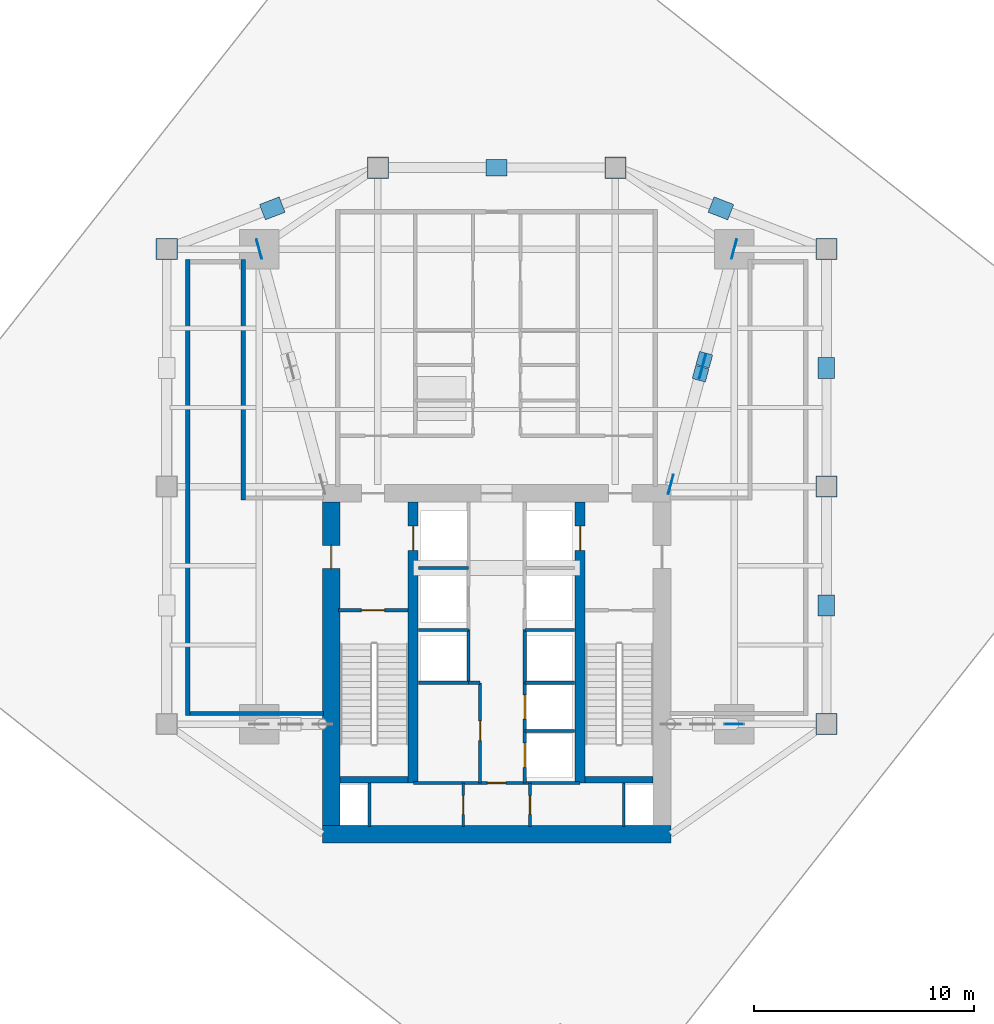
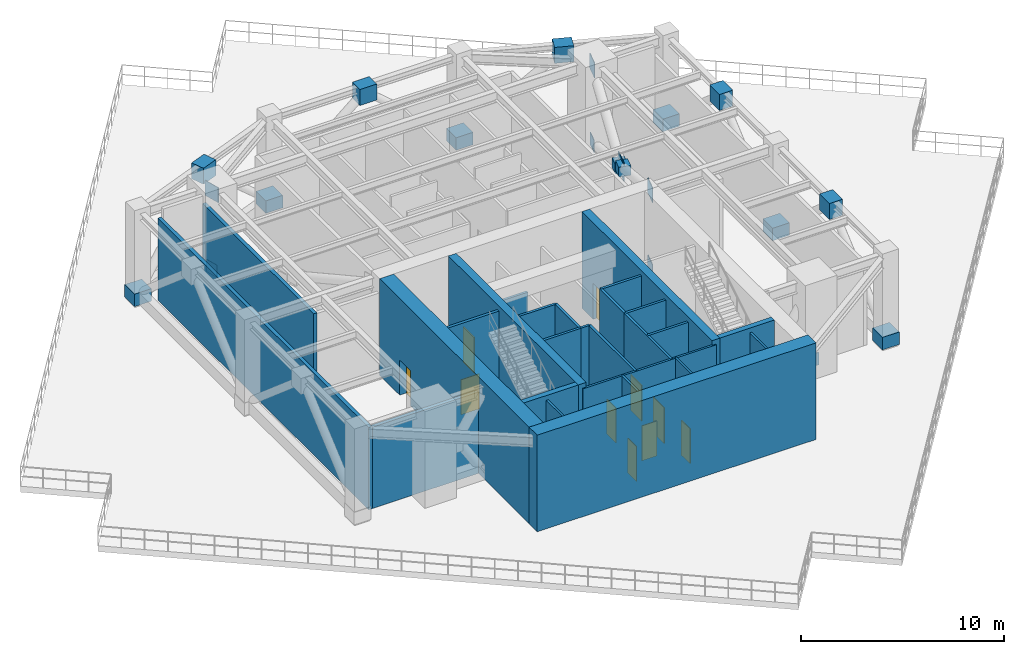
# One storey, part 4 of 8: 26 walls, 21 plates, 10 doors, 10 openings.
"""IFC4 building model written with IfcOpenShell, lengths in metres."""

from ifc_helpers import new_model, si_unit, direction, frame, frame_2d, origin, origin_2d, place, context, subcontext, project, spatial, rectangle, extrude, source, transform, mapped, material, layer, layer_set, type_object, type_shapes, element, fill, save


model = new_model("IFC4")

# Units and contexts
model_context = context("Model", 3, precision=1e-05, world=origin(), true_north=direction((0.0, 1.0)))
body_context = subcontext(model_context, "Body", "Model", "MODEL_VIEW")
ifc_project = project(units=[si_unit("LENGTHUNIT", "METRE"), si_unit("AREAUNIT", "SQUARE_METRE"), si_unit("VOLUMEUNIT", "CUBIC_METRE"), si_unit("PLANEANGLEUNIT", "RADIAN"), si_unit("MASSUNIT", "GRAM", prefix="KILO")], contexts=[model_context])

# Site, building, storey
site_placement = place(None, origin())
site = spatial("IfcSite", under=ifc_project, at=site_placement, CompositionType="ELEMENT")
building_placement = place(site_placement, origin())
building = spatial("IfcBuilding", under=site, at=building_placement, Name="Krantzveldt Concourse Tower", CompositionType="ELEMENT")
storey_placement = place(building_placement, frame((0.0, 0.0, 201.5)))
storey = spatial("IfcBuildingStorey", under=building, at=storey_placement, Name="L49", CompositionType="ELEMENT", Elevation=201.5)

# Plates
ifc_material_1 = material(Name="Steel S355J2", Category="steel")
ifc_layer_1 = layer(ifc_material_1, 0.0400390625, Name="Steel S355J2", Category="steel")
ifc_layer_set_1 = layer_set([ifc_layer_1], Name="Steel S355J2 (PL-GUSSET-40)")
plate_type_1 = type_object("IfcPlateType", Name="PL-GUSSET-40", PredefinedType="USERDEFINED", material=ifc_layer_set_1)
shared_shape_1 = source(origin(), body_context, "Body", "SweptSolid", [
    extrude(rectangle(XDim=0.89990234375, YDim=0.0400390625, at=origin_2d()), origin(), (0.0, 0.0, 1.0), 0.89990234375),
])
type_shapes(plate_type_1, [shared_shape_1])
for number, where, z_axis, x_axis, name in (
    (1, (25.199951171875, 37.5, 4.6201171875), (0.0, 0.0, 1.0), (-0.259914686406, 0.965631583882, 0.0), "OT-NW-L49-GP3"),
    (2, (43.919921875, 26.800048828125, 0.0), (0.0, 0.0, 1.0), (0.259914686406, 0.965631583882, 0.0), "OT-NE-L49-GP1"),
    (3, (43.919921875, 26.800048828125, 4.6201171875), (0.0, 0.0, 1.0), (0.259914686406, 0.965631583882, 0.0), "OT-NE-L49-GP2"),
    (4, (46.800048828125, 37.5, 4.6201171875), (0.0, 0.0, 1.0), (0.259914686406, 0.965631583882, 0.0), "OT-NE-L49-GP3"),
):
    element("IfcPlate", number, at=place(storey_placement, frame(where, z_axis=z_axis, x_axis=x_axis)), inside=storey, type_object=plate_type_1, Name=name, ObjectType="GUSSET PLATE", PredefinedType="USERDEFINED", context=body_context, shape_type="MappedRepresentation", body=[
        mapped(shared_shape_1, transform((0.0, 0.0, 0.0), x_axis=(1.0, 0.0, 0.0), y_axis=(0.0, 1.0, 0.0), z_axis=(0.0, 0.0, 1.0), scale=1.0)),
    ])
ifc_layer_2 = layer(ifc_material_1, 0.0400390625, Name="Steel S355J2", Category="steel")
ifc_layer_set_2 = layer_set([ifc_layer_2], Name="Steel S355J2 (PL-GUSSET-X40)")
plate_type_2 = type_object("IfcPlateType", Name="PL-GUSSET-X40", PredefinedType="USERDEFINED", material=ifc_layer_set_2)
shared_shape_2 = source(origin(), body_context, "Body", "SweptSolid", [
    extrude(rectangle(XDim=1.10009765625, YDim=0.0400390625, at=origin_2d()), origin(), (0.0, 0.0, 1.0), 1.10009765625),
])
type_shapes(plate_type_2, [shared_shape_2])
plate_placement = place(storey_placement, frame((45.360107421875, 32.14990234375, 2.2099609375), z_axis=(0.0, 0.0, 1.0), x_axis=(0.259914686406, 0.965631583882, 0.0)))
element("IfcPlate", 5, at=plate_placement, inside=storey, type_object=plate_type_2, Name="L49 Outrigger X-Brace Crossing Node Plate OT-NE", ObjectType="GUSSET PLATE", PredefinedType="USERDEFINED", context=body_context, shape_type="MappedRepresentation", body=[
    mapped(shared_shape_2, transform((0.0, 0.0, 0.0), x_axis=(1.0, 0.0, 0.0), y_axis=(0.0, 1.0, 0.0), z_axis=(0.0, 0.0, 1.0), scale=1.0)),
])
ifc_layer_3 = layer(ifc_material_1, 0.034912109375, Name="Steel S355J2", Category="steel")
ifc_layer_set_3 = layer_set([ifc_layer_3], Name="Steel S355J2 (PL-ENDCAP-35)")
plate_type_3 = type_object("IfcPlateType", Name="PL-ENDCAP-35", PredefinedType="SHEET", material=ifc_layer_set_3)
shared_shape_3 = source(origin(), body_context, "Body", "SweptSolid", [
    extrude(rectangle(XDim=0.6201171875, YDim=0.6201171875, at=origin_2d()), origin(), (0.0, 0.0, 1.0), 0.580078125),
])
for number, where, z_axis, x_axis, name in (
    (6, (45.274169921875, 31.831298828125, 2.607666015625), (0.0, 0.0, 1.0), (0.259914686406, 0.965631583882, 0.0), "OT-NE-L49-ECA"),
    (7, (45.44580078125, 32.46875, 2.332275390625), (0.0, 0.0, 1.0), (0.259914686406, 0.965631583882, 0.0), "OT-NE-L49-ECB"),
):
    element("IfcPlate", number, at=place(storey_placement, frame(where, z_axis=z_axis, x_axis=x_axis)), inside=storey, type_object=plate_type_3, Name=name, PredefinedType="SHEET", context=body_context, shape_type="MappedRepresentation", body=[
        mapped(shared_shape_3, transform((0.0, 0.0, 0.0), x_axis=(1.0, 0.0, 0.0), y_axis=(0.0, 1.0, 0.0), z_axis=(0.0, 0.0, 1.0), scale=1.0)),
    ])
shared_shape_4 = source(origin(), body_context, "Body", "SweptSolid", [
    extrude(rectangle(XDim=0.75, YDim=0.034912109375, at=origin_2d()), origin(), (0.0, 0.0, 1.0), 0.75),
])
type_shapes(plate_type_3, [shared_shape_3, shared_shape_4])
for number, where, z_axis, x_axis, name in (
    (8, (46.800048828125, 15.89990234375, 0.074951171875), (0.0, 0.0, 1.0), (1.0, 0.0, 0.0), "OT-SE-L49-EC"),
    (9, (25.199951171875, 37.5, 0.074951171875), (0.0, 0.0, 1.0), (-0.259914686406, 0.965631583882, 0.0), "OT-NW-L49-EC"),
    (10, (46.800048828125, 37.5, 0.074951171875), (0.0, 0.0, 1.0), (0.259914686406, 0.965631583882, 0.0), "OT-NE-L49-EC"),
):
    element("IfcPlate", number, at=place(storey_placement, frame(where, z_axis=z_axis, x_axis=x_axis)), inside=storey, type_object=plate_type_3, Name=name, PredefinedType="SHEET", context=body_context, shape_type="MappedRepresentation", body=[
        mapped(shared_shape_4, transform((0.0, 0.0, 0.0), x_axis=(1.0, 0.0, 0.0), y_axis=(0.0, 1.0, 0.0), z_axis=(0.0, 0.0, 1.0), scale=1.0)),
    ])
ifc_layer_4 = layer(ifc_material_1, 0.0419921875, Name="Steel S355J2", Category="steel")
ifc_layer_set_4 = layer_set([ifc_layer_4], Name="Steel S355J2 (PL-GUSSET-EXT40)")
plate_type_4 = type_object("IfcPlateType", Name="PL-GUSSET-EXT40", PredefinedType="USERDEFINED", material=ifc_layer_set_4)
shared_shape_5 = source(origin(), body_context, "Body", "SweptSolid", [
    extrude(rectangle(XDim=0.9599609375, YDim=0.9599609375, at=origin_2d()), origin(), (0.0, 0.0, 1.0), 0.75),
])
for number, where, z_axis, x_axis, name in (
    (11, (21.0, 37.5, 0.074951171875), (0.0, 0.0, 1.0), (1.0, 0.0, 0.0), "BT-L49-GPB-03"),
    (12, (30.60009765625, 41.199951171875, 0.074951171875), (0.0, 0.0, 1.0), (1.0, 0.0, 0.0), "BT-L49-GPB-04"),
    (13, (41.39990234375, 41.199951171875, 0.074951171875), (0.0, 0.0, 1.0), (1.0, 0.0, 0.0), "BT-L49-GPB-05"),
    (14, (51.0, 37.5, 0.074951171875), (0.0, 0.0, 1.0), (1.0, 0.0, 0.0), "BT-L49-GPB-06"),
    (15, (51.0, 26.699951171875, 0.074951171875), (0.0, 0.0, 1.0), (1.0, 0.0, 0.0), "BT-L49-GPB-07"),
    (16, (51.0, 15.89990234375, 0.074951171875), (0.0, 0.0, 1.0), (1.0, 0.0, 0.0), "BT-L49-GPB-08"),
):
    element("IfcPlate", number, at=place(storey_placement, frame(where, z_axis=z_axis, x_axis=x_axis)), inside=storey, type_object=plate_type_4, Name=name, ObjectType="GUSSET PLATE", PredefinedType="USERDEFINED", context=body_context, shape_type="MappedRepresentation", body=[
        mapped(shared_shape_5, transform((0.0, 0.0, 0.0), x_axis=(1.0, 0.0, 0.0), y_axis=(0.0, 1.0, 0.0), z_axis=(0.0, 0.0, 1.0), scale=1.0)),
    ])
shared_shape_6 = source(origin(), body_context, "Body", "SweptSolid", [
    extrude(rectangle(XDim=0.9599609375, YDim=0.75, at=origin_2d()), origin(), (0.0, 0.0, 1.0), 0.9599609375),
])
type_shapes(plate_type_4, [shared_shape_5, shared_shape_6])
for number, where, z_axis, x_axis, name in (
    (17, (25.800048828125, 39.35009765625, 4.590087890625), (0.0, 0.0, 1.0), (0.933097971633, 0.359622267573, 0.0), "BT-L49-GP-03"),
    (18, (36.0, 41.199951171875, 4.590087890625), (0.0, 0.0, 1.0), (1.0, 0.0, 0.0), "BT-L49-GP-04"),
    (19, (46.199951171875, 39.35009765625, 4.590087890625), (0.0, 0.0, 1.0), (-0.933097971633, 0.359622267573, 0.0), "BT-L49-GP-05"),
    (20, (51.0, 32.10009765625, 4.590087890625), (0.0, 0.0, 1.0), (0.0, 1.0, 0.0), "BT-L49-GP-06"),
    (21, (51.0, 21.300048828125, 4.590087890625), (0.0, 0.0, 1.0), (0.0, 1.0, 0.0), "BT-L49-GP-07"),
):
    element("IfcPlate", number, at=place(storey_placement, frame(where, z_axis=z_axis, x_axis=x_axis)), inside=storey, type_object=plate_type_4, Name=name, ObjectType="GUSSET PLATE", PredefinedType="USERDEFINED", context=body_context, shape_type="MappedRepresentation", body=[
        mapped(shared_shape_6, transform((0.0, 0.0, 0.0), x_axis=(1.0, 0.0, 0.0), y_axis=(0.0, 1.0, 0.0), z_axis=(0.0, 0.0, 1.0), scale=1.0)),
    ])

# Walls
ifc_material_2 = material(Name="Concrete C40/50", Category="concrete")
ifc_layer_5 = layer(ifc_material_2, 0.199951171875, Name="Concrete C40/50", Category="concrete")
ifc_layer_set_5 = layer_set([ifc_layer_5], Name="Concrete C40/50 (WL-EXT-POD200)")
wall_type_1 = type_object("IfcWallType", Name="WL-EXT-POD200", PredefinedType="SOLIDWALL", material=ifc_layer_set_5)
wall_1_placement = place(storey_placement, frame((22.050048828125, 16.3798828125, 0.0), z_axis=(0.0, 0.0, 1.0), x_axis=(1.0, 0.0, 0.0)))
element("IfcWall", 22, at=wall_1_placement, inside=storey, type_object=wall_type_1, Name="WP-L49-RWS", PredefinedType="SOLIDWALL", context=body_context, shape_type="SweptSolid", body=[
    extrude(rectangle(XDim=6.070068359375, YDim=0.199951171875, at=frame_2d((3.03515625, 0.0))), origin(), (0.0, 0.0, 1.0), 4.8798828125),
])
wall_2_placement = place(storey_placement, frame((21.949951171875, 16.280029296875, 0.0), z_axis=(0.0, 0.0, 1.0), x_axis=(0.0, 1.0, 0.0)))
element("IfcWall", 23, at=wall_2_placement, inside=storey, type_object=wall_type_1, Name="WP-L49-RWW", PredefinedType="SOLIDWALL", context=body_context, shape_type="SweptSolid", body=[
    extrude(rectangle(XDim=20.739990234375, YDim=0.199951171875, at=frame_2d((10.3701171875, 0.0))), origin(), (0.0, 0.0, 1.0), 4.929931640625),
])
wall_3_placement = place(storey_placement, frame((24.47998046875, 26.080078125, 0.0), z_axis=(0.0, 0.0, 1.0), x_axis=(0.0, 1.0, 0.0)))
element("IfcWall", 24, at=wall_3_placement, inside=storey, type_object=wall_type_1, Name="WP-L49-RWNE", PredefinedType="SOLIDWALL", context=body_context, shape_type="SweptSolid", body=[
    extrude(rectangle(XDim=10.93994140625, YDim=0.199951171875, at=frame_2d((5.469970703125, 0.0))), origin(), (0.0, 0.0, 1.0), 4.929931640625),
])

# Wall, opening, door
ifc_material_3 = material(Name="Fire-rated gypsum plasterboard on steel stud", Category="steel")
ifc_layer_6 = layer(ifc_material_3, 0.1201171875, Name="Fire-rated gypsum plasterboard on steel stud", Category="steel")
ifc_layer_set_6 = layer_set([ifc_layer_6], Name="Fire-rated gypsum plasterboard on steel stud (WL-PART-120)")
wall_type_2 = type_object("IfcWallType", Name="WL-PART-120", PredefinedType="PARTITIONING", material=ifc_layer_set_6)
wall_4_placement = place(storey_placement, frame((32.2099609375, 13.219970703125, 0.0), z_axis=(0.0, 0.0, 1.0), x_axis=(1.0, 0.0, 0.0)))
wall_4 = element("IfcWall", 25, at=wall_4_placement, inside=storey, type_object=wall_type_2, Name="WP-L49-CS2H", PredefinedType="PARTITIONING", context=body_context, shape_type="SweptSolid", body=[
    extrude(rectangle(XDim=7.580078125, YDim=0.1201171875, at=frame_2d((3.7900390625, 0.0))), origin(), (0.0, 0.0, 1.0), 5.52001953125),
])
opening_1_placement = place(wall_4_placement, frame((3.364990234375, 0.0, 0.0)))
opening_1 = element("IfcOpeningElement", 26, at=opening_1_placement, cuts=wall_4, Name="Opening D-IN085", PredefinedType="OPENING", context=body_context, shape_type="SweptSolid", body=[
    extrude(rectangle(XDim=0.85009765625, YDim=2.10009765625, at=frame_2d((0.425048828125, 1.050048828125))), frame((0.0, 0.070068359375, 0.0), z_axis=(0.0, -1.0, 0.0), x_axis=(1.0, 0.0, 0.0)), (0.0, 0.0, 1.0), 0.14013671875),
])
ifc_material_4 = material(Name="Hardwood timber", Category="wood")
door_type_1 = type_object("IfcDoorType", Name="DR-INT-850", OperationType="SINGLE_SWING_LEFT", PredefinedType="DOOR", material=ifc_material_4)
door_1_placement = place(opening_1_placement, origin())
door_1 = element("IfcDoor", 27, at=door_1_placement, inside=storey, type_object=door_type_1, Name="DR-L49-LLBS", OperationType="SINGLE_SWING_RIGHT", OverallHeight=2.10009765625, OverallWidth=0.85009765625, PredefinedType="DOOR", context=body_context, shape_type="SweptSolid", body=[
    extrude(rectangle(XDim=0.85009765625, YDim=2.10009765625, at=frame_2d((0.425048828125, 1.050048828125))), frame((0.0, 0.02490234375, 0.0), z_axis=(0.0, -1.0, 0.0), x_axis=(1.0, 0.0, 0.0)), (0.0, 0.0, 1.0), 0.050048828125),
])
fill(opening_1, door_1)

wall_5_placement = place(storey_placement, frame((34.47998046875, 11.25, 0.0), z_axis=(0.0, 0.0, 1.0), x_axis=(0.0, 1.0, 0.0)))
wall_5 = element("IfcWall", 28, at=wall_5_placement, inside=storey, type_object=wall_type_2, Name="WP-L49-CSB-VL", PredefinedType="PARTITIONING", context=body_context, shape_type="SweptSolid", body=[
    extrude(rectangle(XDim=1.969970703125, YDim=0.1201171875, at=frame_2d((0.98486328125, 0.0))), origin(), (0.0, 0.0, 1.0), 5.52001953125),
])
opening_2_placement = place(wall_5_placement, frame((0.544921875, 0.0, 0.0)))
opening_2 = element("IfcOpeningElement", 29, at=opening_2_placement, cuts=wall_5, Name="Opening D-IN085", PredefinedType="OPENING", context=body_context, shape_type="SweptSolid", body=[
    extrude(rectangle(XDim=0.85009765625, YDim=2.10009765625, at=frame_2d((0.425048828125, 1.050048828125))), frame((0.0, 0.070068359375, 0.0), z_axis=(0.0, -1.0, 0.0), x_axis=(1.0, 0.0, 0.0)), (0.0, 0.0, 1.0), 0.14013671875),
])
door_2_placement = place(opening_2_placement, origin())
door_2 = element("IfcDoor", 30, at=door_2_placement, inside=storey, type_object=door_type_1, Name="DR-L49-CSB1", OperationType="SINGLE_SWING_LEFT", OverallHeight=2.10009765625, OverallWidth=0.85009765625, PredefinedType="DOOR", context=body_context, shape_type="SweptSolid", body=[
    extrude(rectangle(XDim=0.85009765625, YDim=2.10009765625, at=frame_2d((0.425048828125, 1.050048828125))), frame((0.0, 0.02490234375, 0.0), z_axis=(0.0, -1.0, 0.0), x_axis=(1.0, 0.0, 0.0)), (0.0, 0.0, 1.0), 0.050048828125),
])
fill(opening_2, door_2)

wall_6_placement = place(storey_placement, frame((37.52001953125, 11.25, 0.0), z_axis=(0.0, 0.0, 1.0), x_axis=(0.0, 1.0, 0.0)))
wall_6 = element("IfcWall", 31, at=wall_6_placement, inside=storey, type_object=wall_type_2, Name="WP-L49-CSB-VR", PredefinedType="PARTITIONING", context=body_context, shape_type="SweptSolid", body=[
    extrude(rectangle(XDim=1.969970703125, YDim=0.1201171875, at=frame_2d((0.98486328125, 0.0))), origin(), (0.0, 0.0, 1.0), 5.52001953125),
])
opening_3_placement = place(wall_6_placement, frame((0.544921875, 0.0, 0.0)))
opening_3 = element("IfcOpeningElement", 32, at=opening_3_placement, cuts=wall_6, Name="Opening D-IN085", PredefinedType="OPENING", context=body_context, shape_type="SweptSolid", body=[
    extrude(rectangle(XDim=0.85009765625, YDim=2.10009765625, at=frame_2d((0.425048828125, 1.050048828125))), frame((0.0, 0.070068359375, 0.0), z_axis=(0.0, -1.0, 0.0), x_axis=(1.0, 0.0, 0.0)), (0.0, 0.0, 1.0), 0.14013671875),
])
door_3_placement = place(opening_3_placement, origin())
door_3 = element("IfcDoor", 33, at=door_3_placement, inside=storey, type_object=door_type_1, Name="DR-L49-CSB2", OperationType="SINGLE_SWING_RIGHT", OverallHeight=2.10009765625, OverallWidth=0.85009765625, PredefinedType="DOOR", context=body_context, shape_type="SweptSolid", body=[
    extrude(rectangle(XDim=0.85009765625, YDim=2.10009765625, at=frame_2d((0.425048828125, 1.050048828125))), frame((0.0, 0.02490234375, 0.0), z_axis=(0.0, -1.0, 0.0), x_axis=(1.0, 0.0, 0.0)), (0.0, 0.0, 1.0), 0.050048828125),
])
fill(opening_3, door_3)

# Walls
ifc_layer_7 = layer(ifc_material_3, 0.139892578125, Name="Fire-rated gypsum plasterboard on steel stud", Category="steel")
ifc_layer_set_7 = layer_set([ifc_layer_7], Name="Fire-rated gypsum plasterboard on steel stud (WL-PART-FR140)")
wall_type_3 = type_object("IfcWallType", Name="WL-PART-FR140", PredefinedType="PARTITIONING", material=ifc_layer_set_7)
wall_7_placement = place(storey_placement, frame((32.449951171875, 23.0, 0.0), z_axis=(0.0, 0.0, 1.0), x_axis=(1.0, 0.0, 0.0)))
element("IfcWall", 34, at=wall_7_placement, inside=storey, type_object=wall_type_3, Name="WP-L49-RISH", PredefinedType="PARTITIONING", context=body_context, shape_type="SweptSolid", body=[
    extrude(rectangle(XDim=2.27001953125, YDim=0.139892578125, at=frame_2d((1.135009765625, 0.0))), origin(), (0.0, 0.0, 1.0), 4.52001953125),
])
for number, where, z_axis, x_axis, name in (
    (35, (34.719970703125, 17.780029296875, 0.0), (0.0, 0.0, 1.0), (0.0, 1.0, 0.0), "WP-L49-SHNW2"),
    (36, (37.280029296875, 17.780029296875, 0.0), (0.0, 0.0, 1.0), (0.0, 1.0, 0.0), "WP-L49-SHNE2"),
):
    element("IfcWall", number, at=place(storey_placement, frame(where, z_axis=z_axis, x_axis=x_axis)), inside=storey, type_object=wall_type_3, Name=name, PredefinedType="PARTITIONING", context=body_context, shape_type="SweptSolid", body=[
        extrude(rectangle(XDim=2.419921875, YDim=0.139892578125, at=frame_2d((1.2099609375, 0.0))), origin(), (0.0, 0.0, 1.0), 5.52001953125),
    ])
for number, where, z_axis, x_axis, name in (
    (37, (32.449951171875, 17.780029296875, 0.0), (0.0, 0.0, 1.0), (1.0, 0.0, 0.0), "WP-L49-DIVW2"),
    (38, (32.449951171875, 20.179931640625, 0.0), (0.0, 0.0, 1.0), (1.0, 0.0, 0.0), "WP-L49-DIVW3"),
    (39, (37.280029296875, 17.780029296875, 0.0), (0.0, 0.0, 1.0), (1.0, 0.0, 0.0), "WP-L49-DIVE2"),
    (40, (37.280029296875, 20.179931640625, 0.0), (0.0, 0.0, 1.0), (1.0, 0.0, 0.0), "WP-L49-DIVE3"),
):
    element("IfcWall", number, at=place(storey_placement, frame(where, z_axis=z_axis, x_axis=x_axis)), inside=storey, type_object=wall_type_3, Name=name, PredefinedType="PARTITIONING", context=body_context, shape_type="SweptSolid", body=[
        extrude(rectangle(XDim=2.27001953125, YDim=0.139892578125, at=frame_2d((1.135009765625, 0.0))), origin(), (0.0, 0.0, 1.0), 5.52001953125),
    ])

# Wall, opening, door
wall_8_placement = place(storey_placement, frame((35.25, 13.219970703125, 0.0), z_axis=(0.0, 0.0, 1.0), x_axis=(0.0, 1.0, 0.0)))
wall_8 = element("IfcWall", 41, at=wall_8_placement, inside=storey, type_object=wall_type_3, Name="WP-L49-RECW", PredefinedType="PARTITIONING", context=body_context, shape_type="SweptSolid", body=[
    extrude(rectangle(XDim=4.56005859375, YDim=0.139892578125, at=frame_2d((2.280029296875, 0.0))), origin(), (0.0, 0.0, 1.0), 5.52001953125),
])
opening_4_placement = place(wall_8_placement, frame((1.929931640625, 0.0, 0.0)))
opening_4 = element("IfcOpeningElement", 42, at=opening_4_placement, cuts=wall_8, Name="Opening D-FD090", PredefinedType="OPENING", context=body_context, shape_type="SweptSolid", body=[
    extrude(rectangle(XDim=0.89990234375, YDim=2.10009765625, at=frame_2d((0.449951171875, 1.050048828125))), frame((0.0, 0.080078125, 0.0), z_axis=(0.0, -1.0, 0.0), x_axis=(1.0, 0.0, 0.0)), (0.0, 0.0, 1.0), 0.159912109375),
])
door_type_2 = type_object("IfcDoorType", Name="DR-FD60-900", OperationType="SINGLE_SWING_LEFT", PredefinedType="DOOR", material=ifc_material_4)
door_4_placement = place(opening_4_placement, origin())
door_4 = element("IfcDoor", 43, at=door_4_placement, inside=storey, type_object=door_type_2, Name="DR-L49-RECW", OperationType="SINGLE_SWING_LEFT", OverallHeight=2.10009765625, OverallWidth=0.89990234375, PredefinedType="DOOR", context=body_context, shape_type="SweptSolid", body=[
    extrude(rectangle(XDim=0.89990234375, YDim=2.10009765625, at=frame_2d((0.449951171875, 1.050048828125))), frame((0.0, 0.02490234375, 0.0), z_axis=(0.0, -1.0, 0.0), x_axis=(1.0, 0.0, 0.0)), (0.0, 0.0, 1.0), 0.050048828125),
])
fill(opening_4, door_4)

# Wall
wall_9_placement = place(storey_placement, frame((34.719970703125, 17.780029296875, 0.0), z_axis=(0.0, 0.0, 1.0), x_axis=(1.0, 0.0, 0.0)))
element("IfcWall", 44, at=wall_9_placement, inside=storey, type_object=wall_type_3, Name="WP-L49-RECWN", PredefinedType="PARTITIONING", context=body_context, shape_type="SweptSolid", body=[
    extrude(rectangle(XDim=0.530029296875, YDim=0.139892578125, at=frame_2d((0.26513671875, 0.0))), origin(), (0.0, 0.0, 1.0), 5.52001953125),
])

# Wall, openings, doors
wall_10_placement = place(storey_placement, frame((37.280029296875, 13.219970703125, 0.0), z_axis=(0.0, 0.0, 1.0), x_axis=(0.0, 1.0, 0.0)))
wall_10 = element("IfcWall", 45, at=wall_10_placement, inside=storey, type_object=wall_type_3, Name="WP-L49-SHSE", PredefinedType="PARTITIONING", context=body_context, shape_type="SweptSolid", body=[
    extrude(rectangle(XDim=4.56005859375, YDim=0.139892578125, at=frame_2d((2.280029296875, 0.0))), origin(), (0.0, 0.0, 1.0), 5.52001953125),
])
opening_5_placement = place(wall_10_placement, frame((0.7099609375, 0.0, 0.0)))
opening_5 = element("IfcOpeningElement", 46, at=opening_5_placement, cuts=wall_10, Name="Opening LD", PredefinedType="OPENING", context=body_context, shape_type="SweptSolid", body=[
    extrude(rectangle(XDim=1.10009765625, YDim=2.14990234375, at=frame_2d((0.550048828125, 1.074951171875))), frame((0.0, 0.080078125, 0.0), z_axis=(0.0, -1.0, 0.0), x_axis=(1.0, 0.0, 0.0)), (0.0, 0.0, 1.0), 0.159912109375),
])
opening_6_placement = place(wall_10_placement, frame((2.909912109375, 0.0, 0.0)))
opening_6 = element("IfcOpeningElement", 47, at=opening_6_placement, cuts=wall_10, Name="Opening LD", PredefinedType="OPENING", context=body_context, shape_type="SweptSolid", body=[
    extrude(rectangle(XDim=1.10009765625, YDim=2.14990234375, at=frame_2d((0.550048828125, 1.074951171875))), frame((0.0, 0.080078125, 0.0), z_axis=(0.0, -1.0, 0.0), x_axis=(1.0, 0.0, 0.0)), (0.0, 0.0, 1.0), 0.159912109375),
])
ifc_material_5 = material(Name="Stainless steel 316L", Category="steel")
door_type_3 = type_object("IfcDoorType", Name="DR-SLIDE-LD1100", OperationType="DOUBLE_DOOR_SLIDING", PredefinedType="DOOR", material=ifc_material_5)
door_5_placement = place(opening_5_placement, origin())
door_5 = element("IfcDoor", 48, at=door_5_placement, inside=storey, type_object=door_type_3, Name="LD-L49-PM1", OperationType="DOUBLE_DOOR_SLIDING", OverallHeight=2.14990234375, OverallWidth=1.10009765625, PredefinedType="DOOR", context=body_context, shape_type="SweptSolid", body=[
    extrude(rectangle(XDim=1.10009765625, YDim=2.14990234375, at=frame_2d((0.550048828125, 1.074951171875))), frame((0.0, 0.02490234375, 0.0), z_axis=(0.0, -1.0, 0.0), x_axis=(1.0, 0.0, 0.0)), (0.0, 0.0, 1.0), 0.050048828125),
])
fill(opening_5, door_5)
door_6_placement = place(opening_6_placement, origin())
door_6 = element("IfcDoor", 49, at=door_6_placement, inside=storey, type_object=door_type_3, Name="LD-L49-PM2", OperationType="DOUBLE_DOOR_SLIDING", OverallHeight=2.14990234375, OverallWidth=1.10009765625, PredefinedType="DOOR", context=body_context, shape_type="SweptSolid", body=[
    extrude(rectangle(XDim=1.10009765625, YDim=2.14990234375, at=frame_2d((0.550048828125, 1.074951171875))), frame((0.0, 0.02490234375, 0.0), z_axis=(0.0, -1.0, 0.0), x_axis=(1.0, 0.0, 0.0)), (0.0, 0.0, 1.0), 0.050048828125),
])
fill(opening_6, door_6)

# Walls
wall_11_placement = place(storey_placement, frame((37.280029296875, 15.580078125, 0.0), z_axis=(0.0, 0.0, 1.0), x_axis=(1.0, 0.0, 0.0)))
element("IfcWall", 50, at=wall_11_placement, inside=storey, type_object=wall_type_3, Name="WP-L49-DIVE1", PredefinedType="PARTITIONING", context=body_context, shape_type="SweptSolid", body=[
    extrude(rectangle(XDim=2.27001953125, YDim=0.139892578125, at=frame_2d((1.135009765625, 0.0))), origin(), (0.0, 0.0, 1.0), 5.52001953125),
])
for number, where, z_axis, x_axis, name in (
    (51, (30.219970703125, 11.25, 0.0), (0.0, 0.0, 1.0), (0.0, 1.0, 0.0), "WP-L49-RSW"),
    (52, (41.780029296875, 11.25, 0.0), (0.0, 0.0, 1.0), (0.0, 1.0, 0.0), "WP-L49-RSE"),
):
    element("IfcWall", number, at=place(storey_placement, frame(where, z_axis=z_axis, x_axis=x_axis)), inside=storey, type_object=wall_type_3, Name=name, PredefinedType="PARTITIONING", context=body_context, shape_type="SweptSolid", body=[
        extrude(rectangle(XDim=1.969970703125, YDim=0.1201171875, at=frame_2d((0.98486328125, 0.0))), origin(), (0.0, 0.0, 1.0), 5.52001953125),
    ])

# Wall, opening, door
ifc_layer_8 = layer(ifc_material_3, 0.159912109375, Name="Fire-rated gypsum plasterboard on steel stud", Category="steel")
ifc_layer_set_8 = layer_set([ifc_layer_8], Name="Fire-rated gypsum plasterboard on steel stud (WL-PART-FR160)")
wall_type_4 = type_object("IfcWallType", Name="WL-PART-FR160", PredefinedType="PARTITIONING", material=ifc_layer_set_8)
wall_12_placement = place(storey_placement, frame((28.800048828125, 21.080078125, 0.0), z_axis=(0.0, 0.0, 1.0), x_axis=(1.0, 0.0, 0.0)))
wall_12 = element("IfcWall", 53, at=wall_12_placement, inside=storey, type_object=wall_type_4, Name="WP-L49-ST1", PredefinedType="PARTITIONING", context=body_context, shape_type="SweptSolid", body=[
    extrude(rectangle(XDim=3.159912109375, YDim=0.159912109375, at=frame_2d((1.580078125, 0.0))), origin(), (0.0, 0.0, 1.0), 5.52001953125),
])
opening_7_placement = place(wall_12_placement, frame((1.054931640625, 0.0, 0.0)))
opening_7 = element("IfcOpeningElement", 54, at=opening_7_placement, cuts=wall_12, Name="Opening D-FD105", PredefinedType="OPENING", context=body_context, shape_type="SweptSolid", body=[
    extrude(rectangle(XDim=1.050048828125, YDim=2.10009765625, at=frame_2d((0.52490234375, 1.050048828125))), frame((0.0, 0.08984375, 0.0), z_axis=(0.0, -1.0, 0.0), x_axis=(1.0, 0.0, 0.0)), (0.0, 0.0, 1.0), 0.179931640625),
])
ifc_material_6 = material(Name="Galvanised steel", Category="steel")
door_type_4 = type_object("IfcDoorType", Name="DR-FD120-1050", OperationType="SINGLE_SWING_LEFT", PredefinedType="DOOR", material=ifc_material_6)
door_7_placement = place(opening_7_placement, origin())
door_7 = element("IfcDoor", 55, at=door_7_placement, inside=storey, type_object=door_type_4, Name="DR-L49-ST1", OperationType="SINGLE_SWING_RIGHT", OverallHeight=2.10009765625, OverallWidth=1.050048828125, PredefinedType="DOOR", context=body_context, shape_type="SweptSolid", body=[
    extrude(rectangle(XDim=1.050048828125, YDim=2.10009765625, at=frame_2d((0.52490234375, 1.050048828125))), frame((0.0, 0.02490234375, 0.0), z_axis=(0.0, -1.0, 0.0), x_axis=(1.0, 0.0, 0.0)), (0.0, 0.0, 1.0), 0.050048828125),
])
fill(opening_7, door_7)

# Walls
ifc_material_7 = material(Name="Concrete C50/60", Category="concrete")
ifc_layer_9 = layer(ifc_material_7, 0.300048828125, Name="Concrete C50/60", Category="concrete")
ifc_layer_set_9 = layer_set([ifc_layer_9], Name="Concrete C50/60 (WL-SHEAR-300)")
wall_type_5 = type_object("IfcWallType", Name="WL-SHEAR-300", PredefinedType="SHEAR", material=ifc_layer_set_9)
for number, where, z_axis, x_axis, name in (
    (56, (28.8798828125, 13.3701171875, 0.0), (0.0, 0.0, 1.0), (1.0, 0.0, 0.0), "CW-L49-ST1S"),
    (57, (40.02001953125, 13.3701171875, 0.0), (0.0, 0.0, 1.0), (1.0, 0.0, 0.0), "CW-L49-ST2S"),
):
    element("IfcWall", number, at=place(storey_placement, frame(where, z_axis=z_axis, x_axis=x_axis)), inside=storey, type_object=wall_type_5, Name=name, PredefinedType="SHEAR", context=body_context, shape_type="SweptSolid", body=[
        extrude(rectangle(XDim=3.10009765625, YDim=0.300048828125, at=frame_2d((1.550048828125, 0.0))), origin(), (0.0, 0.0, 1.0), 5.800048828125),
    ])

# Wall, opening, door
ifc_layer_10 = layer(ifc_material_7, 0.449951171875, Name="Concrete C50/60", Category="concrete")
ifc_layer_set_10 = layer_set([ifc_layer_10], Name="Concrete C50/60 (WL-SHEAR-450)")
wall_type_6 = type_object("IfcWallType", Name="WL-SHEAR-450", PredefinedType="SHEAR", material=ifc_layer_set_10)
wall_13_placement = place(storey_placement, frame((32.205078125, 13.219970703125, 0.0), z_axis=(0.0, 0.0, 1.0), x_axis=(0.0, 1.0, 0.0)))
wall_13 = element("IfcWall", 58, at=wall_13_placement, inside=storey, type_object=wall_type_6, Name="CW-L49-IW", PredefinedType="SHEAR", context=body_context, shape_type="SweptSolid", body=[
    extrude(rectangle(XDim=12.780029296875, YDim=0.449951171875, at=frame_2d((6.39013671875, 0.0))), origin(), (0.0, 0.0, 1.0), 5.800048828125),
])
opening_8_placement = place(wall_13_placement, frame((10.580078125, 0.0, 0.0)))
opening_8 = element("IfcOpeningElement", 59, at=opening_8_placement, cuts=wall_13, Name="Opening LD", PredefinedType="OPENING", context=body_context, shape_type="SweptSolid", body=[
    extrude(rectangle(XDim=1.10009765625, YDim=2.14990234375, at=frame_2d((0.550048828125, 1.074951171875))), frame((0.0, 0.23486328125, 0.0), z_axis=(0.0, -1.0, 0.0), x_axis=(1.0, 0.0, 0.0)), (0.0, 0.0, 1.0), 0.469970703125),
])
door_8_placement = place(opening_8_placement, origin())
door_8 = element("IfcDoor", 60, at=door_8_placement, inside=storey, type_object=door_type_3, Name="LD-L49-FL1", OperationType="DOUBLE_DOOR_SLIDING", OverallHeight=2.14990234375, OverallWidth=1.10009765625, PredefinedType="DOOR", context=body_context, shape_type="SweptSolid", body=[
    extrude(rectangle(XDim=1.10009765625, YDim=2.14990234375, at=frame_2d((0.550048828125, 1.074951171875))), frame((0.0, 0.02490234375, 0.0), z_axis=(0.0, -1.0, 0.0), x_axis=(1.0, 0.0, 0.0)), (0.0, 0.0, 1.0), 0.050048828125),
])
fill(opening_8, door_8)

wall_14_placement = place(storey_placement, frame((39.794921875, 13.219970703125, 0.0), z_axis=(0.0, 0.0, 1.0), x_axis=(0.0, 1.0, 0.0)))
wall_14 = element("IfcWall", 61, at=wall_14_placement, inside=storey, type_object=wall_type_6, Name="CW-L49-IE", PredefinedType="SHEAR", context=body_context, shape_type="SweptSolid", body=[
    extrude(rectangle(XDim=12.780029296875, YDim=0.449951171875, at=frame_2d((6.39013671875, 0.0))), origin(), (0.0, 0.0, 1.0), 5.800048828125),
])
opening_9_placement = place(wall_14_placement, frame((10.580078125, 0.0, 0.0)))
opening_9 = element("IfcOpeningElement", 62, at=opening_9_placement, cuts=wall_14, Name="Opening LD", PredefinedType="OPENING", context=body_context, shape_type="SweptSolid", body=[
    extrude(rectangle(XDim=1.10009765625, YDim=2.14990234375, at=frame_2d((0.550048828125, 1.074951171875))), frame((0.0, 0.23486328125, 0.0), z_axis=(0.0, -1.0, 0.0), x_axis=(1.0, 0.0, 0.0)), (0.0, 0.0, 1.0), 0.469970703125),
])
door_9_placement = place(opening_9_placement, origin())
door_9 = element("IfcDoor", 63, at=door_9_placement, inside=storey, type_object=door_type_3, Name="LD-L49-FL2", OperationType="DOUBLE_DOOR_SLIDING", OverallHeight=2.14990234375, OverallWidth=1.10009765625, PredefinedType="DOOR", context=body_context, shape_type="SweptSolid", body=[
    extrude(rectangle(XDim=1.10009765625, YDim=2.14990234375, at=frame_2d((0.550048828125, 1.074951171875))), frame((0.0, 0.02490234375, 0.0), z_axis=(0.0, -1.0, 0.0), x_axis=(1.0, 0.0, 0.0)), (0.0, 0.0, 1.0), 0.050048828125),
])
fill(opening_9, door_9)

# Wall
ifc_material_8 = material(Name="Concrete C60/75", Category="concrete")
ifc_layer_11 = layer(ifc_material_8, 0.800048828125, Name="Concrete C60/75", Category="concrete")
ifc_layer_set_11 = layer_set([ifc_layer_11], Name="Concrete C60/75 (WL-SHEAR-800)")
wall_type_7 = type_object("IfcWallType", Name="WL-SHEAR-800", PredefinedType="SHEAR", material=ifc_layer_set_11)
wall_15_placement = place(storey_placement, frame((28.080078125, 10.89990234375, 0.0), z_axis=(0.0, 0.0, 1.0), x_axis=(1.0, 0.0, 0.0)))
element("IfcWall", 64, at=wall_15_placement, inside=storey, type_object=wall_type_7, Name="CW-L49-S", PredefinedType="SHEAR", context=body_context, shape_type="SweptSolid", body=[
    extrude(rectangle(XDim=15.83984375, YDim=0.800048828125, at=frame_2d((7.919921875, 0.0))), origin(), (0.0, 0.0, 1.0), 5.800048828125),
])

# Wall, opening, door
wall_16_placement = place(storey_placement, frame((28.47998046875, 11.300048828125, 0.0), z_axis=(0.0, 0.0, 1.0), x_axis=(0.0, 1.0, 0.0)))
wall_16 = element("IfcWall", 65, at=wall_16_placement, inside=storey, type_object=wall_type_7, Name="CW-L49-W", PredefinedType="SHEAR", context=body_context, shape_type="SweptSolid", body=[
    extrude(rectangle(XDim=14.699951171875, YDim=0.800048828125, at=frame_2d((7.35009765625, 0.0))), origin(), (0.0, 0.0, 1.0), 5.800048828125),
])
opening_10_placement = place(wall_16_placement, frame((11.675048828125, 0.0, 0.0)))
opening_10 = element("IfcOpeningElement", 66, at=opening_10_placement, cuts=wall_16, Name="Opening D-FD105", PredefinedType="OPENING", context=body_context, shape_type="SweptSolid", body=[
    extrude(rectangle(XDim=1.050048828125, YDim=2.10009765625, at=frame_2d((0.52490234375, 1.050048828125))), frame((0.0, 0.41015625, 0.0), z_axis=(0.0, -1.0, 0.0), x_axis=(1.0, 0.0, 0.0)), (0.0, 0.0, 1.0), 0.820068359375),
])
door_10_placement = place(opening_10_placement, origin())
door_10 = element("IfcDoor", 67, at=door_10_placement, inside=storey, type_object=door_type_4, Name="DR-L49-ST1RW", OperationType="SINGLE_SWING_LEFT", OverallHeight=2.10009765625, OverallWidth=1.050048828125, PredefinedType="DOOR", context=body_context, shape_type="SweptSolid", body=[
    extrude(rectangle(XDim=1.050048828125, YDim=2.10009765625, at=frame_2d((0.52490234375, 1.050048828125))), frame((0.0, 0.02490234375, 0.0), z_axis=(0.0, -1.0, 0.0), x_axis=(1.0, 0.0, 0.0)), (0.0, 0.0, 1.0), 0.050048828125),
])
fill(opening_10, door_10)

save(model, "model.ifc")
